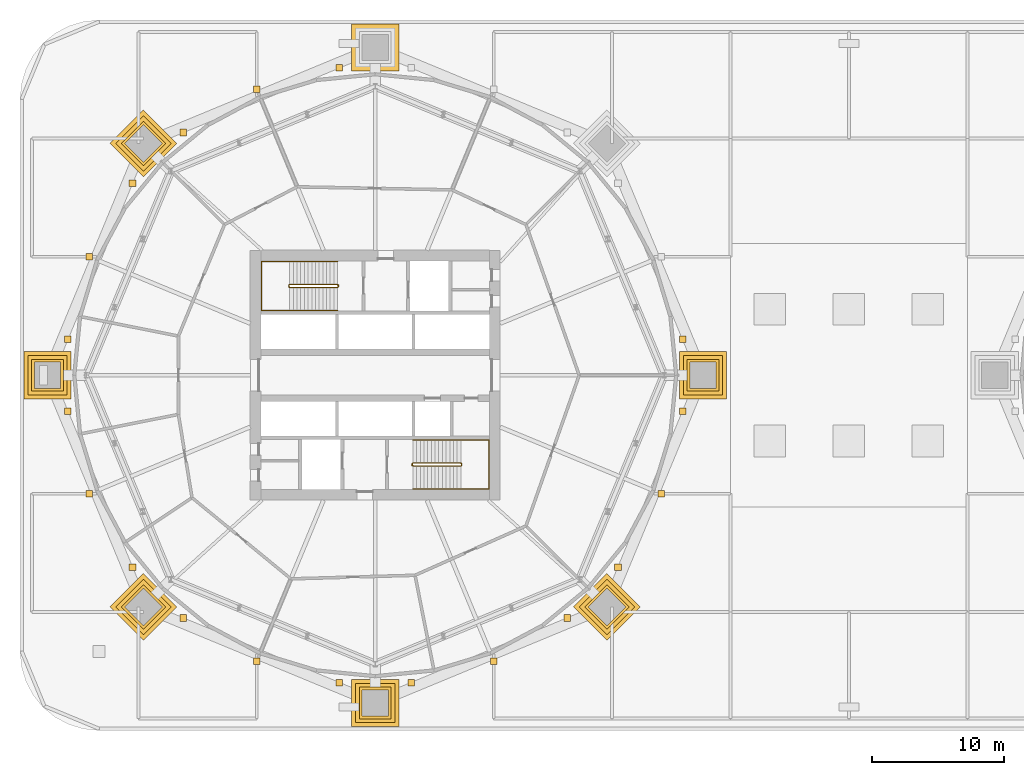
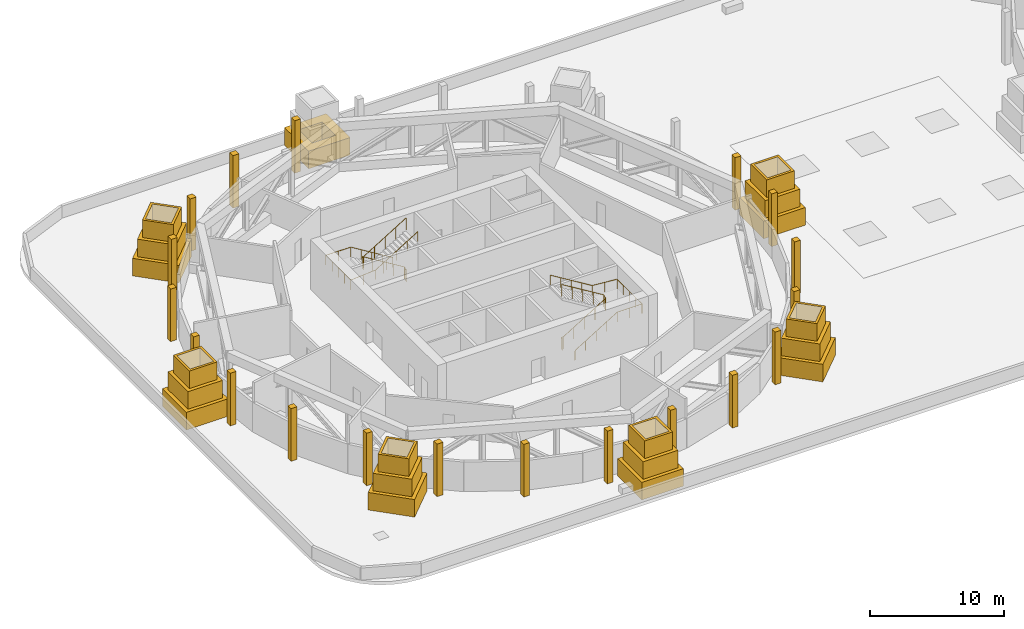
# One storey, part 18 of 21: 38 coverings, 4 railings.
"""IFC4 building model written with IfcOpenShell, lengths in metres."""

from ifc_helpers import new_model, si_unit, direction, frame, origin, origin_2d, place, context, subcontext, project, spatial, polyline, rectangle, circle, outline, extrude, material, layer, layer_set, material_profile, profile_set, type_object, element, save


model = new_model("IFC4")

# Units and contexts
model_context = context("Model", 3, precision=1e-05, world=origin(), true_north=direction((0.0, 1.0)))
body_context = subcontext(model_context, "Body", "Model", "MODEL_VIEW")
ifc_project = project(units=[si_unit("LENGTHUNIT", "METRE"), si_unit("AREAUNIT", "SQUARE_METRE"), si_unit("VOLUMEUNIT", "CUBIC_METRE"), si_unit("PLANEANGLEUNIT", "RADIAN"), si_unit("MASSUNIT", "GRAM", prefix="KILO")], contexts=[model_context])

# Site, building, storey
site_placement = place(None, origin())
site = spatial("IfcSite", under=ifc_project, at=site_placement, CompositionType="ELEMENT")
building_placement = place(site_placement, origin())
building = spatial("IfcBuilding", under=site, at=building_placement, Name="Ogive Gate Towers", CompositionType="ELEMENT")
storey_placement = place(building_placement, frame((0.0, 0.0, 27.60009765625)))
storey = spatial("IfcBuildingStorey", under=building, at=storey_placement, Name="L05", CompositionType="ELEMENT", Elevation=27.60009765625)

# Coverings
ifc_material_1 = material(Name="Cast stone", Category="masonry")
ifc_layer_1 = layer(ifc_material_1, 0.199951171875)
ifc_layer_set_1 = layer_set([ifc_layer_1], Name="Plinth casing 2400")
covering_type_1 = type_object("IfcCoveringType", Name="Plinth casing 2400", PredefinedType="CLADDING", material=ifc_layer_set_1)
covering_1_placement = place(storey_placement, frame((0.0, 0.0, 3.199951171875)))
element("IfcCovering", 1, at=covering_1_placement, inside=storey, type_object=covering_type_1, Name="Pier plinth casing", PredefinedType="CLADDING", context=body_context, shape_type="SweptSolid", body=[
    extrude(outline(polyline([(-12.2900390625, -1.199951171875), (-9.889892578125, -1.199951171875), (-9.889892578125, 1.199951171875), (-12.2900390625, 1.199951171875), (-12.2900390625, -1.199951171875)]), holes=[polyline([(-12.090087890625, -1.0), (-12.090087890625, 1.0), (-10.090087890625, 1.0), (-10.090087890625, -1.0), (-12.090087890625, -1.0)])]), origin(), (0.0, 0.0, 1.0), 1.599853515625),
])
covering_2_placement = place(storey_placement, frame((0.0, 0.0, 3.199951171875)))
element("IfcCovering", 2, at=covering_2_placement, inside=storey, type_object=covering_type_1, Name="Pier plinth casing", PredefinedType="CLADDING", context=body_context, shape_type="SweptSolid", body=[
    extrude(outline(polyline([(-51.9169921875, 17.614013671875), (-53.614013671875, 19.31103515625), (-55.31103515625, 17.614013671875), (-53.614013671875, 15.9169921875), (-51.9169921875, 17.614013671875)]), holes=[polyline([(-52.19970703125, 17.614013671875), (-53.614013671875, 16.19970703125), (-55.0283203125, 17.614013671875), (-53.614013671875, 19.0283203125), (-52.19970703125, 17.614013671875)])]), origin(), (0.0, 0.0, 1.0), 1.599853515625),
])
covering_3_placement = place(storey_placement, frame((0.0, 0.0, 3.199951171875)))
element("IfcCovering", 3, at=covering_3_placement, inside=storey, type_object=covering_type_1, Name="Pier plinth casing", PredefinedType="CLADDING", context=body_context, shape_type="SweptSolid", body=[
    extrude(outline(polyline([(-59.7099609375, 1.199951171875), (-62.110107421875, 1.199951171875), (-62.110107421875, -1.199951171875), (-59.7099609375, -1.199951171875), (-59.7099609375, 1.199951171875)]), holes=[polyline([(-59.909912109375, 1.0), (-59.909912109375, -1.0), (-61.909912109375, -1.0), (-61.909912109375, 1.0), (-59.909912109375, 1.0)])]), origin(), (0.0, 0.0, 1.0), 1.599853515625),
])
covering_4_placement = place(storey_placement, frame((0.0, 0.0, 3.199951171875)))
element("IfcCovering", 4, at=covering_4_placement, inside=storey, type_object=covering_type_1, Name="Pier plinth casing", PredefinedType="CLADDING", context=body_context, shape_type="SweptSolid", body=[
    extrude(outline(polyline([(-53.614013671875, -15.9169921875), (-55.31103515625, -17.614013671875), (-53.614013671875, -19.31103515625), (-51.9169921875, -17.614013671875), (-53.614013671875, -15.9169921875)]), holes=[polyline([(-53.614013671875, -16.19970703125), (-52.19970703125, -17.614013671875), (-53.614013671875, -19.0283203125), (-55.0283203125, -17.614013671875), (-53.614013671875, -16.19970703125)])]), origin(), (0.0, 0.0, 1.0), 1.599853515625),
])
covering_5_placement = place(storey_placement, frame((0.0, 0.0, 3.199951171875)))
element("IfcCovering", 5, at=covering_5_placement, inside=storey, type_object=covering_type_1, Name="Pier plinth casing", PredefinedType="CLADDING", context=body_context, shape_type="SweptSolid", body=[
    extrude(outline(polyline([(-37.199951171875, -23.7099609375), (-37.199951171875, -26.110107421875), (-34.800048828125, -26.110107421875), (-34.800048828125, -23.7099609375), (-37.199951171875, -23.7099609375)]), holes=[polyline([(-37.0, -23.909912109375), (-35.0, -23.909912109375), (-35.0, -25.909912109375), (-37.0, -25.909912109375), (-37.0, -23.909912109375)])]), origin(), (0.0, 0.0, 1.0), 1.599853515625),
])
covering_6_placement = place(storey_placement, frame((0.0, 0.0, 3.199951171875)))
element("IfcCovering", 6, at=covering_6_placement, inside=storey, type_object=covering_type_1, Name="Pier plinth casing", PredefinedType="CLADDING", context=body_context, shape_type="SweptSolid", body=[
    extrude(outline(polyline([(-20.0830078125, -17.614013671875), (-18.385986328125, -19.31103515625), (-16.68896484375, -17.614013671875), (-18.385986328125, -15.9169921875), (-20.0830078125, -17.614013671875)]), holes=[polyline([(-19.80029296875, -17.614013671875), (-18.385986328125, -16.19970703125), (-16.9716796875, -17.614013671875), (-18.385986328125, -19.0283203125), (-19.80029296875, -17.614013671875)])]), origin(), (0.0, 0.0, 1.0), 1.599853515625),
])
ifc_layer_2 = layer(ifc_material_1, 0.5)
ifc_layer_set_2 = layer_set([ifc_layer_2], Name="Plinth casing 3000")
covering_type_2 = type_object("IfcCoveringType", Name="Plinth casing 3000", PredefinedType="CLADDING", material=ifc_layer_set_2)
covering_7_placement = place(storey_placement, frame((0.0, 0.0, 1.599853515625)))
element("IfcCovering", 7, at=covering_7_placement, inside=storey, type_object=covering_type_2, Name="Pier plinth casing", PredefinedType="CLADDING", context=body_context, shape_type="SweptSolid", body=[
    extrude(outline(polyline([(-12.590087890625, -1.5), (-9.590087890625, -1.5), (-9.590087890625, 1.5), (-12.590087890625, 1.5), (-12.590087890625, -1.5)]), holes=[polyline([(-12.090087890625, -1.0), (-12.090087890625, 1.0), (-10.090087890625, 1.0), (-10.090087890625, -1.0), (-12.090087890625, -1.0)])]), origin(), (0.0, 0.0, 1.0), 1.60009765625),
])
covering_8_placement = place(storey_placement, frame((0.0, 0.0, 1.599853515625)))
element("IfcCovering", 8, at=covering_8_placement, inside=storey, type_object=covering_type_2, Name="Pier plinth casing", PredefinedType="CLADDING", context=body_context, shape_type="SweptSolid", body=[
    extrude(outline(polyline([(-51.49267578125, 17.614013671875), (-53.614013671875, 19.7353515625), (-55.7353515625, 17.614013671875), (-53.614013671875, 15.49267578125), (-51.49267578125, 17.614013671875)]), holes=[polyline([(-52.19970703125, 17.614013671875), (-53.614013671875, 16.19970703125), (-55.0283203125, 17.614013671875), (-53.614013671875, 19.0283203125), (-52.19970703125, 17.614013671875)])]), origin(), (0.0, 0.0, 1.0), 1.60009765625),
])
covering_9_placement = place(storey_placement, frame((0.0, 0.0, 1.599853515625)))
element("IfcCovering", 9, at=covering_9_placement, inside=storey, type_object=covering_type_2, Name="Pier plinth casing", PredefinedType="CLADDING", context=body_context, shape_type="SweptSolid", body=[
    extrude(outline(polyline([(-59.409912109375, 1.5), (-62.409912109375, 1.5), (-62.409912109375, -1.5), (-59.409912109375, -1.5), (-59.409912109375, 1.5)]), holes=[polyline([(-59.909912109375, 1.0), (-59.909912109375, -1.0), (-61.909912109375, -1.0), (-61.909912109375, 1.0), (-59.909912109375, 1.0)])]), origin(), (0.0, 0.0, 1.0), 1.60009765625),
])
covering_10_placement = place(storey_placement, frame((0.0, 0.0, 1.599853515625)))
element("IfcCovering", 10, at=covering_10_placement, inside=storey, type_object=covering_type_2, Name="Pier plinth casing", PredefinedType="CLADDING", context=body_context, shape_type="SweptSolid", body=[
    extrude(outline(polyline([(-53.614013671875, -15.49267578125), (-55.7353515625, -17.614013671875), (-53.614013671875, -19.7353515625), (-51.49267578125, -17.614013671875), (-53.614013671875, -15.49267578125)]), holes=[polyline([(-53.614013671875, -16.19970703125), (-52.19970703125, -17.614013671875), (-53.614013671875, -19.0283203125), (-55.0283203125, -17.614013671875), (-53.614013671875, -16.19970703125)])]), origin(), (0.0, 0.0, 1.0), 1.60009765625),
])
covering_11_placement = place(storey_placement, frame((0.0, 0.0, 1.599853515625)))
element("IfcCovering", 11, at=covering_11_placement, inside=storey, type_object=covering_type_2, Name="Pier plinth casing", PredefinedType="CLADDING", context=body_context, shape_type="SweptSolid", body=[
    extrude(outline(polyline([(-37.5, -23.409912109375), (-37.5, -26.409912109375), (-34.5, -26.409912109375), (-34.5, -23.409912109375), (-37.5, -23.409912109375)]), holes=[polyline([(-37.0, -23.909912109375), (-35.0, -23.909912109375), (-35.0, -25.909912109375), (-37.0, -25.909912109375), (-37.0, -23.909912109375)])]), origin(), (0.0, 0.0, 1.0), 1.60009765625),
])
covering_12_placement = place(storey_placement, frame((0.0, 0.0, 1.599853515625)))
element("IfcCovering", 12, at=covering_12_placement, inside=storey, type_object=covering_type_2, Name="Pier plinth casing", PredefinedType="CLADDING", context=body_context, shape_type="SweptSolid", body=[
    extrude(outline(polyline([(-20.50732421875, -17.614013671875), (-18.385986328125, -19.7353515625), (-16.2646484375, -17.614013671875), (-18.385986328125, -15.49267578125), (-20.50732421875, -17.614013671875)]), holes=[polyline([(-19.80029296875, -17.614013671875), (-18.385986328125, -16.19970703125), (-16.9716796875, -17.614013671875), (-18.385986328125, -19.0283203125), (-19.80029296875, -17.614013671875)])]), origin(), (0.0, 0.0, 1.0), 1.60009765625),
])
ifc_layer_3 = layer(ifc_material_1, 0.800048828125)
ifc_layer_set_3 = layer_set([ifc_layer_3], Name="Plinth casing 3600")
covering_type_3 = type_object("IfcCoveringType", Name="Plinth casing 3600", PredefinedType="CLADDING", material=ifc_layer_set_3)
covering_13_placement = place(storey_placement, origin())
element("IfcCovering", 13, at=covering_13_placement, inside=storey, type_object=covering_type_3, Name="Pier plinth casing", PredefinedType="CLADDING", context=body_context, shape_type="SweptSolid", body=[
    extrude(outline(polyline([(-12.889892578125, -1.800048828125), (-9.2900390625, -1.800048828125), (-9.2900390625, 1.800048828125), (-12.889892578125, 1.800048828125), (-12.889892578125, -1.800048828125)]), holes=[polyline([(-12.090087890625, -1.0), (-12.090087890625, 1.0), (-10.090087890625, 1.0), (-10.090087890625, -1.0), (-12.090087890625, -1.0)])]), origin(), (0.0, 0.0, 1.0), 1.599853515625),
])
covering_14_placement = place(storey_placement, origin())
element("IfcCovering", 14, at=covering_14_placement, inside=storey, type_object=covering_type_3, Name="Pier plinth casing", PredefinedType="CLADDING", context=body_context, shape_type="SweptSolid", body=[
    extrude(outline(polyline([(-34.199951171875, 23.110107421875), (-34.199951171875, 26.7099609375), (-37.800048828125, 26.7099609375), (-37.800048828125, 23.110107421875), (-34.199951171875, 23.110107421875)]), holes=[polyline([(-35.0, 23.909912109375), (-37.0, 23.909912109375), (-37.0, 25.909912109375), (-35.0, 25.909912109375), (-35.0, 23.909912109375)])]), origin(), (0.0, 0.0, 1.0), 1.599853515625),
])
covering_15_placement = place(storey_placement, origin())
element("IfcCovering", 15, at=covering_15_placement, inside=storey, type_object=covering_type_3, Name="Pier plinth casing", PredefinedType="CLADDING", context=body_context, shape_type="SweptSolid", body=[
    extrude(outline(polyline([(-51.068359375, 17.614013671875), (-53.614013671875, 20.15966796875), (-56.15966796875, 17.614013671875), (-53.614013671875, 15.068359375), (-51.068359375, 17.614013671875)]), holes=[polyline([(-52.19970703125, 17.614013671875), (-53.614013671875, 16.19970703125), (-55.0283203125, 17.614013671875), (-53.614013671875, 19.0283203125), (-52.19970703125, 17.614013671875)])]), origin(), (0.0, 0.0, 1.0), 1.599853515625),
])
covering_16_placement = place(storey_placement, origin())
element("IfcCovering", 16, at=covering_16_placement, inside=storey, type_object=covering_type_3, Name="Pier plinth casing", PredefinedType="CLADDING", context=body_context, shape_type="SweptSolid", body=[
    extrude(outline(polyline([(-59.110107421875, 1.800048828125), (-62.7099609375, 1.800048828125), (-62.7099609375, -1.800048828125), (-59.110107421875, -1.800048828125), (-59.110107421875, 1.800048828125)]), holes=[polyline([(-59.909912109375, 1.0), (-59.909912109375, -1.0), (-61.909912109375, -1.0), (-61.909912109375, 1.0), (-59.909912109375, 1.0)])]), origin(), (0.0, 0.0, 1.0), 1.599853515625),
])
covering_17_placement = place(storey_placement, origin())
element("IfcCovering", 17, at=covering_17_placement, inside=storey, type_object=covering_type_3, Name="Pier plinth casing", PredefinedType="CLADDING", context=body_context, shape_type="SweptSolid", body=[
    extrude(outline(polyline([(-53.614013671875, -15.068359375), (-56.15966796875, -17.614013671875), (-53.614013671875, -20.15966796875), (-51.068359375, -17.614013671875), (-53.614013671875, -15.068359375)]), holes=[polyline([(-53.614013671875, -16.19970703125), (-52.19970703125, -17.614013671875), (-53.614013671875, -19.0283203125), (-55.0283203125, -17.614013671875), (-53.614013671875, -16.19970703125)])]), origin(), (0.0, 0.0, 1.0), 1.599853515625),
])
covering_18_placement = place(storey_placement, origin())
element("IfcCovering", 18, at=covering_18_placement, inside=storey, type_object=covering_type_3, Name="Pier plinth casing", PredefinedType="CLADDING", context=body_context, shape_type="SweptSolid", body=[
    extrude(outline(polyline([(-37.800048828125, -23.110107421875), (-37.800048828125, -26.7099609375), (-34.199951171875, -26.7099609375), (-34.199951171875, -23.110107421875), (-37.800048828125, -23.110107421875)]), holes=[polyline([(-37.0, -23.909912109375), (-35.0, -23.909912109375), (-35.0, -25.909912109375), (-37.0, -25.909912109375), (-37.0, -23.909912109375)])]), origin(), (0.0, 0.0, 1.0), 1.599853515625),
])
covering_19_placement = place(storey_placement, origin())
element("IfcCovering", 19, at=covering_19_placement, inside=storey, type_object=covering_type_3, Name="Pier plinth casing", PredefinedType="CLADDING", context=body_context, shape_type="SweptSolid", body=[
    extrude(outline(polyline([(-20.931640625, -17.614013671875), (-18.385986328125, -20.15966796875), (-15.84033203125, -17.614013671875), (-18.385986328125, -15.068359375), (-20.931640625, -17.614013671875)]), holes=[polyline([(-19.80029296875, -17.614013671875), (-18.385986328125, -16.19970703125), (-16.9716796875, -17.614013671875), (-18.385986328125, -19.0283203125), (-19.80029296875, -17.614013671875)])]), origin(), (0.0, 0.0, 1.0), 1.599853515625),
])
ifc_material_profile = material_profile(ifc_material_1, rectangle(XDim=0.5, YDim=0.5, at=origin_2d()), Name="500 x 500 cast stone")
ifc_profile_set = profile_set([ifc_material_profile], Name="Cast stone")
covering_type_4 = type_object("IfcCoveringType", Name="Portal rib 500 x 500", PredefinedType="CLADDING", material=ifc_profile_set)
for number, where, z_axis, x_axis, name in (
    (20, (-12.637939453125, 2.73046875, 0.0), (0.0, 0.0, 1.0), (1.0, 0.0, 0.0), "Portal post"),
    (21, (-50.588623046875, 18.4501953125, 0.0), (0.0, 0.0, 1.0), (1.0, 0.0, 0.0), "Portal post"),
    (22, (-38.73046875, 23.362060546875, 0.0), (0.0, 0.0, 1.0), (1.0, 0.0, 0.0), "Portal post"),
    (23, (-45.001220703125, 21.730712890625, 0.0), (0.0, 0.0, 1.0), (1.0, 0.0, 0.0), "Portal mullion"),
    (24, (-59.362060546875, 2.73046875, 0.0), (0.0, 0.0, 1.0), (1.0, 0.0, 0.0), "Portal post"),
    (25, (-54.4501953125, 14.588623046875, 0.0), (0.0, 0.0, 1.0), (1.0, 0.0, 0.0), "Portal post"),
    (26, (-57.730712890625, 9.001220703125, 0.0), (0.0, 0.0, 1.0), (1.0, 0.0, 0.0), "Portal mullion"),
    (27, (-54.4501953125, -14.588623046875, 0.0), (0.0, 0.0, 1.0), (1.0, 0.0, 0.0), "Portal post"),
    (28, (-59.362060546875, -2.73046875, 0.0), (0.0, 0.0, 1.0), (1.0, 0.0, 0.0), "Portal post"),
    (29, (-57.730712890625, -9.001220703125, 0.0), (0.0, 0.0, 1.0), (1.0, 0.0, 0.0), "Portal mullion"),
    (30, (-38.73046875, -23.362060546875, 0.0), (0.0, 0.0, 1.0), (1.0, 0.0, 0.0), "Portal post"),
    (31, (-50.588623046875, -18.4501953125, 0.0), (0.0, 0.0, 1.0), (1.0, 0.0, 0.0), "Portal post"),
    (32, (-45.001220703125, -21.730712890625, 0.0), (0.0, 0.0, 1.0), (1.0, 0.0, 0.0), "Portal mullion"),
    (33, (-21.411376953125, -18.4501953125, 0.0), (0.0, 0.0, 1.0), (1.0, 0.0, 0.0), "Portal post"),
    (34, (-33.26953125, -23.362060546875, 0.0), (0.0, 0.0, 1.0), (1.0, 0.0, 0.0), "Portal post"),
    (35, (-26.998779296875, -21.730712890625, 0.0), (0.0, 0.0, 1.0), (1.0, 0.0, 0.0), "Portal mullion"),
    (36, (-12.637939453125, -2.73046875, 0.0), (0.0, 0.0, 1.0), (1.0, 0.0, 0.0), "Portal post"),
    (37, (-17.5498046875, -14.588623046875, 0.0), (0.0, 0.0, 1.0), (1.0, 0.0, 0.0), "Portal post"),
    (38, (-14.269287109375, -9.001220703125, 0.0), (0.0, 0.0, 1.0), (1.0, 0.0, 0.0), "Portal mullion"),
):
    element("IfcCovering", number, at=place(storey_placement, frame(where, z_axis=z_axis, x_axis=x_axis)), inside=storey, type_object=covering_type_4, Name=name, PredefinedType="CLADDING", context=body_context, shape_type="SweptSolid", body=[
        extrude(rectangle(XDim=0.5, YDim=0.5, at=origin_2d()), origin(), (0.0, 0.0, 1.0), 4.7998046875),
    ])

# Railings
ifc_material_2 = material(Name="Stainless steel", Category="steel")
railing_type_1 = type_object("IfcRailingType", Name="Stair guard 1100", PredefinedType="GUARDRAIL", material=ifc_material_2)
railing_1_placement = place(storey_placement, frame((-38.81494140625, 6.860107421875, 0.0)))
element("IfcRailing", 39, at=railing_1_placement, inside=storey, type_object=railing_type_1, Name="L05 ST1 stair guard 1", PredefinedType="GUARDRAIL", context=body_context, shape_type="SweptSolid", body=[
    extrude(circle(Radius=0.02392578125, at=origin_2d()), frame((0.0, 0.0, 1.076171875), z_axis=(0.0, -1.0, 0.0), x_axis=(1.0, 0.0, 0.0)), (0.0, 0.0, 1.0), 0.14501953125),
    extrude(circle(Radius=0.02392578125, at=origin_2d()), frame((0.0, -0.14501953125, 1.076171875), z_axis=(-0.189390444499, 0.737236949804, 0.648546790429), x_axis=(-0.968551454522, -0.24881334358, 0.0)), (0.0, 0.0, 1.0), 0.26416015625),
    extrude(circle(Radius=0.02392578125, at=origin_2d()), frame((-0.050048828125, 0.0498046875, 1.24755859375), z_axis=(-0.852850264322, 0.0, 0.5221555579), x_axis=(0.0, -1.0, 0.0)), (0.0, 0.0, 1.0), 4.267822265625),
    extrude(circle(Radius=0.02392578125, at=origin_2d()), frame((-3.68994140625, 0.0498046875, 3.47607421875), z_axis=(-0.708833529934, -0.705375805398, 0.0), x_axis=(0.705375805398, -0.708833529934, 0.0)), (0.0, 0.0, 1.0), 0.070556640625),
    extrude(circle(Radius=0.02392578125, at=origin_2d()), frame((-3.739990234375, 0.0, 3.47607421875), z_axis=(0.0, -1.0, 0.0), x_axis=(1.0, 0.0, 0.0)), (0.0, 0.0, 1.0), 0.14501953125),
    extrude(circle(Radius=0.02392578125, at=origin_2d()), frame((-3.739990234375, -0.14501953125, 3.47607421875), z_axis=(0.269911200495, -0.269911200495, 0.924281281696), x_axis=(0.707106781187, 0.707106781187, 0.0)), (0.0, 0.0, 1.0), 0.185546875),
    extrude(circle(Radius=0.02392578125, at=origin_2d()), frame((-3.68994140625, -0.195068359375, 3.6474609375), z_axis=(0.852850264322, 0.0, 0.5221555579), x_axis=(0.0, 1.0, 0.0)), (0.0, 0.0, 1.0), 4.267822265625),
    extrude(circle(Radius=0.02099609375, at=origin_2d()), origin(), (0.0, 0.0, 1.0), 1.052001953125),
    extrude(circle(Radius=0.02099609375, at=origin_2d()), frame((0.0, -0.14501953125, 0.0)), (0.0, 0.0, 1.0), 1.052001953125),
    extrude(circle(Radius=0.02099609375, at=origin_2d()), frame((-0.050048828125, 0.0498046875, 0.17138671875)), (0.0, 0.0, 1.0), 1.052001953125),
    extrude(circle(Radius=0.02099609375, at=origin_2d()), frame((-0.9599609375, 0.0498046875, 0.728515625)), (0.0, 0.0, 1.0), 1.052001953125),
    extrude(circle(Radius=0.02099609375, at=origin_2d()), frame((-1.8701171875, 0.0498046875, 1.28564453125)), (0.0, 0.0, 1.0), 1.052001953125),
    extrude(circle(Radius=0.02099609375, at=origin_2d()), frame((-2.780029296875, 0.0498046875, 1.8427734375)), (0.0, 0.0, 1.0), 1.052001953125),
    extrude(circle(Radius=0.02099609375, at=origin_2d()), frame((-3.68994140625, 0.0498046875, 2.39990234375)), (0.0, 0.0, 1.0), 1.052001953125),
    extrude(circle(Radius=0.02099609375, at=origin_2d()), frame((-3.739990234375, 0.0, 2.39990234375)), (0.0, 0.0, 1.0), 1.052001953125),
    extrude(circle(Radius=0.02099609375, at=origin_2d()), frame((-3.739990234375, -0.14501953125, 2.39990234375)), (0.0, 0.0, 1.0), 1.052001953125),
    extrude(circle(Radius=0.02099609375, at=origin_2d()), frame((-3.68994140625, -0.195068359375, 2.5712890625)), (0.0, 0.0, 1.0), 1.052001953125),
    extrude(circle(Radius=0.02099609375, at=origin_2d()), frame((-2.780029296875, -0.195068359375, 3.12841796875)), (0.0, 0.0, 1.0), 1.052001953125),
    extrude(circle(Radius=0.02099609375, at=origin_2d()), frame((-1.8701171875, -0.195068359375, 3.685546875)), (0.0, 0.0, 1.0), 1.052001953125),
    extrude(circle(Radius=0.02099609375, at=origin_2d()), frame((-0.9599609375, -0.195068359375, 4.24267578125)), (0.0, 0.0, 1.0), 1.052001953125),
    extrude(circle(Radius=0.02099609375, at=origin_2d()), frame((-0.050048828125, -0.195068359375, 4.7998046875)), (0.0, 0.0, 1.0), 1.052001953125),
])
railing_2_placement = place(storey_placement, frame((-33.18505859375, -6.860107421875, 0.0)))
element("IfcRailing", 40, at=railing_2_placement, inside=storey, type_object=railing_type_1, Name="L05 ST2 stair guard 1", PredefinedType="GUARDRAIL", context=body_context, shape_type="SweptSolid", body=[
    extrude(circle(Radius=0.02392578125, at=origin_2d()), frame((0.0, 0.0, 1.076171875), z_axis=(0.0, 1.0, 0.0), x_axis=(-1.0, 0.0, 0.0)), (0.0, 0.0, 1.0), 0.14501953125),
    extrude(circle(Radius=0.02392578125, at=origin_2d()), frame((0.0, 0.14501953125, 1.076171875), z_axis=(0.189390444499, -0.737236949804, 0.648546790429), x_axis=(0.968551454522, 0.24881334358, 0.0)), (0.0, 0.0, 1.0), 0.26416015625),
    extrude(circle(Radius=0.02392578125, at=origin_2d()), frame((0.050048828125, -0.0498046875, 1.24755859375), z_axis=(0.852850264322, 0.0, 0.5221555579), x_axis=(0.0, 1.0, 0.0)), (0.0, 0.0, 1.0), 4.267822265625),
    extrude(circle(Radius=0.02392578125, at=origin_2d()), frame((3.68994140625, -0.0498046875, 3.47607421875), z_axis=(0.708833529934, 0.705375805398, 0.0), x_axis=(-0.705375805398, 0.708833529934, 0.0)), (0.0, 0.0, 1.0), 0.070556640625),
    extrude(circle(Radius=0.02392578125, at=origin_2d()), frame((3.739990234375, 0.0, 3.47607421875), z_axis=(0.0, 1.0, 0.0), x_axis=(-1.0, 0.0, 0.0)), (0.0, 0.0, 1.0), 0.14501953125),
    extrude(circle(Radius=0.02392578125, at=origin_2d()), frame((3.739990234375, 0.14501953125, 3.47607421875), z_axis=(-0.269911200495, 0.269911200495, 0.924281281696), x_axis=(-0.707106781187, -0.707106781187, 0.0)), (0.0, 0.0, 1.0), 0.185546875),
    extrude(circle(Radius=0.02392578125, at=origin_2d()), frame((3.68994140625, 0.195068359375, 3.6474609375), z_axis=(-0.852850264322, 0.0, 0.5221555579), x_axis=(0.0, -1.0, 0.0)), (0.0, 0.0, 1.0), 4.267822265625),
    extrude(circle(Radius=0.02099609375, at=origin_2d()), origin(), (0.0, 0.0, 1.0), 1.052001953125),
    extrude(circle(Radius=0.02099609375, at=origin_2d()), frame((0.0, 0.14501953125, 0.0)), (0.0, 0.0, 1.0), 1.052001953125),
    extrude(circle(Radius=0.02099609375, at=origin_2d()), frame((0.050048828125, -0.0498046875, 0.17138671875)), (0.0, 0.0, 1.0), 1.052001953125),
    extrude(circle(Radius=0.02099609375, at=origin_2d()), frame((0.9599609375, -0.0498046875, 0.728515625)), (0.0, 0.0, 1.0), 1.052001953125),
    extrude(circle(Radius=0.02099609375, at=origin_2d()), frame((1.8701171875, -0.0498046875, 1.28564453125)), (0.0, 0.0, 1.0), 1.052001953125),
    extrude(circle(Radius=0.02099609375, at=origin_2d()), frame((2.780029296875, -0.0498046875, 1.8427734375)), (0.0, 0.0, 1.0), 1.052001953125),
    extrude(circle(Radius=0.02099609375, at=origin_2d()), frame((3.68994140625, -0.0498046875, 2.39990234375)), (0.0, 0.0, 1.0), 1.052001953125),
    extrude(circle(Radius=0.02099609375, at=origin_2d()), frame((3.739990234375, 0.0, 2.39990234375)), (0.0, 0.0, 1.0), 1.052001953125),
    extrude(circle(Radius=0.02099609375, at=origin_2d()), frame((3.739990234375, 0.14501953125, 2.39990234375)), (0.0, 0.0, 1.0), 1.052001953125),
    extrude(circle(Radius=0.02099609375, at=origin_2d()), frame((3.68994140625, 0.195068359375, 2.5712890625)), (0.0, 0.0, 1.0), 1.052001953125),
    extrude(circle(Radius=0.02099609375, at=origin_2d()), frame((2.780029296875, 0.195068359375, 3.12841796875)), (0.0, 0.0, 1.0), 1.052001953125),
    extrude(circle(Radius=0.02099609375, at=origin_2d()), frame((1.8701171875, 0.195068359375, 3.685546875)), (0.0, 0.0, 1.0), 1.052001953125),
    extrude(circle(Radius=0.02099609375, at=origin_2d()), frame((0.9599609375, 0.195068359375, 4.24267578125)), (0.0, 0.0, 1.0), 1.052001953125),
    extrude(circle(Radius=0.02099609375, at=origin_2d()), frame((0.050048828125, 0.195068359375, 4.7998046875)), (0.0, 0.0, 1.0), 1.052001953125),
])
railing_type_2 = type_object("IfcRailingType", Name="Stair handrail 900", PredefinedType="HANDRAIL", material=ifc_material_2)
railing_3_placement = place(storey_placement, frame((-38.864990234375, 8.64990234375, 0.17138671875)))
element("IfcRailing", 41, at=railing_3_placement, inside=storey, type_object=railing_type_2, Name="L05 ST1 stair handrail 1", PredefinedType="HANDRAIL", context=body_context, shape_type="SweptSolid", body=[
    extrude(circle(Radius=0.02392578125, at=origin_2d()), frame((0.0, 0.0, 0.8759765625), z_axis=(-0.852850264322, 0.0, 0.5221555579), x_axis=(0.0, -1.0, 0.0)), (0.0, 0.0, 1.0), 4.267822265625),
    extrude(circle(Radius=0.02392578125, at=origin_2d()), frame((-3.639892578125, 0.0, 3.1044921875), z_axis=(-1.0, 0.0, 0.0), x_axis=(0.0, -1.0, 0.0)), (0.0, 0.0, 1.0), 2.14501953125),
    extrude(circle(Radius=0.02392578125, at=origin_2d()), frame((-5.784912109375, 0.0, 3.1044921875), z_axis=(0.0, -1.0, 0.0), x_axis=(1.0, 0.0, 0.0)), (0.0, 0.0, 1.0), 3.724853515625),
    extrude(circle(Radius=0.02392578125, at=origin_2d()), frame((-5.784912109375, -3.724853515625, 3.1044921875), z_axis=(0.996823210099, 0.0, 0.079646015649), x_axis=(0.0, 1.0, 0.0)), (0.0, 0.0, 1.0), 2.15185546875),
    extrude(circle(Radius=0.02392578125, at=origin_2d()), frame((-3.639892578125, -3.724853515625, 3.27587890625), z_axis=(0.852850264322, 0.0, 0.5221555579), x_axis=(0.0, 1.0, 0.0)), (0.0, 0.0, 1.0), 4.267822265625),
    extrude(circle(Radius=0.02099609375, at=origin_2d()), origin(), (0.0, 0.0, 1.0), 0.851806640625),
    extrude(circle(Radius=0.02099609375, at=origin_2d()), frame((-0.909912109375, 0.0, 0.55712890625)), (0.0, 0.0, 1.0), 0.851806640625),
    extrude(circle(Radius=0.02099609375, at=origin_2d()), frame((-1.81982421875, 0.0, 1.1142578125)), (0.0, 0.0, 1.0), 0.851806640625),
    extrude(circle(Radius=0.02099609375, at=origin_2d()), frame((-2.72998046875, 0.0, 1.67138671875)), (0.0, 0.0, 1.0), 0.851806640625),
    extrude(circle(Radius=0.02099609375, at=origin_2d()), frame((-3.639892578125, 0.0, 2.228515625)), (0.0, 0.0, 1.0), 0.851806640625),
    extrude(circle(Radius=0.02099609375, at=origin_2d()), frame((-4.71240234375, 0.0, 2.228515625)), (0.0, 0.0, 1.0), 0.851806640625),
    extrude(circle(Radius=0.02099609375, at=origin_2d()), frame((-5.784912109375, 0.0, 2.228515625)), (0.0, 0.0, 1.0), 0.851806640625),
    extrude(circle(Radius=0.02099609375, at=origin_2d()), frame((-5.784912109375, -0.93115234375, 2.228515625)), (0.0, 0.0, 1.0), 0.851806640625),
    extrude(circle(Radius=0.02099609375, at=origin_2d()), frame((-5.784912109375, -1.8623046875, 2.228515625)), (0.0, 0.0, 1.0), 0.851806640625),
    extrude(circle(Radius=0.02099609375, at=origin_2d()), frame((-5.784912109375, -2.793701171875, 2.228515625)), (0.0, 0.0, 1.0), 0.851806640625),
    extrude(circle(Radius=0.02099609375, at=origin_2d()), frame((-5.784912109375, -3.724853515625, 2.228515625)), (0.0, 0.0, 1.0), 0.851806640625),
    extrude(circle(Radius=0.02099609375, at=origin_2d()), frame((-4.71240234375, -3.724853515625, 2.314208984375)), (0.0, 0.0, 1.0), 0.851806640625),
    extrude(circle(Radius=0.02099609375, at=origin_2d()), frame((-3.639892578125, -3.724853515625, 2.39990234375)), (0.0, 0.0, 1.0), 0.851806640625),
    extrude(circle(Radius=0.02099609375, at=origin_2d()), frame((-2.72998046875, -3.724853515625, 2.95703125)), (0.0, 0.0, 1.0), 0.851806640625),
    extrude(circle(Radius=0.02099609375, at=origin_2d()), frame((-1.81982421875, -3.724853515625, 3.51416015625)), (0.0, 0.0, 1.0), 0.851806640625),
    extrude(circle(Radius=0.02099609375, at=origin_2d()), frame((-0.909912109375, -3.724853515625, 4.0712890625)), (0.0, 0.0, 1.0), 0.851806640625),
    extrude(circle(Radius=0.02099609375, at=origin_2d()), frame((0.0, -3.724853515625, 4.62841796875)), (0.0, 0.0, 1.0), 0.851806640625),
])
railing_4_placement = place(storey_placement, frame((-33.135009765625, -8.64990234375, 0.17138671875)))
element("IfcRailing", 42, at=railing_4_placement, inside=storey, type_object=railing_type_2, Name="L05 ST2 stair handrail 1", PredefinedType="HANDRAIL", context=body_context, shape_type="SweptSolid", body=[
    extrude(circle(Radius=0.02392578125, at=origin_2d()), frame((0.0, 0.0, 0.8759765625), z_axis=(0.852850264322, 0.0, 0.5221555579), x_axis=(0.0, 1.0, 0.0)), (0.0, 0.0, 1.0), 4.267822265625),
    extrude(circle(Radius=0.02392578125, at=origin_2d()), frame((3.639892578125, 0.0, 3.1044921875), z_axis=(1.0, 0.0, 0.0), x_axis=(0.0, 1.0, 0.0)), (0.0, 0.0, 1.0), 2.14501953125),
    extrude(circle(Radius=0.02392578125, at=origin_2d()), frame((5.784912109375, 0.0, 3.1044921875), z_axis=(0.0, 1.0, 0.0), x_axis=(-1.0, 0.0, 0.0)), (0.0, 0.0, 1.0), 3.724853515625),
    extrude(circle(Radius=0.02392578125, at=origin_2d()), frame((5.784912109375, 3.724853515625, 3.1044921875), z_axis=(-0.996823210099, 0.0, 0.079646015649), x_axis=(0.0, -1.0, 0.0)), (0.0, 0.0, 1.0), 2.15185546875),
    extrude(circle(Radius=0.02392578125, at=origin_2d()), frame((3.639892578125, 3.724853515625, 3.27587890625), z_axis=(-0.852850264322, 0.0, 0.5221555579), x_axis=(0.0, -1.0, 0.0)), (0.0, 0.0, 1.0), 4.267822265625),
    extrude(circle(Radius=0.02099609375, at=origin_2d()), origin(), (0.0, 0.0, 1.0), 0.851806640625),
    extrude(circle(Radius=0.02099609375, at=origin_2d()), frame((0.909912109375, 0.0, 0.55712890625)), (0.0, 0.0, 1.0), 0.851806640625),
    extrude(circle(Radius=0.02099609375, at=origin_2d()), frame((1.81982421875, 0.0, 1.1142578125)), (0.0, 0.0, 1.0), 0.851806640625),
    extrude(circle(Radius=0.02099609375, at=origin_2d()), frame((2.72998046875, 0.0, 1.67138671875)), (0.0, 0.0, 1.0), 0.851806640625),
    extrude(circle(Radius=0.02099609375, at=origin_2d()), frame((3.639892578125, 0.0, 2.228515625)), (0.0, 0.0, 1.0), 0.851806640625),
    extrude(circle(Radius=0.02099609375, at=origin_2d()), frame((4.71240234375, 0.0, 2.228515625)), (0.0, 0.0, 1.0), 0.851806640625),
    extrude(circle(Radius=0.02099609375, at=origin_2d()), frame((5.784912109375, 0.0, 2.228515625)), (0.0, 0.0, 1.0), 0.851806640625),
    extrude(circle(Radius=0.02099609375, at=origin_2d()), frame((5.784912109375, 0.93115234375, 2.228515625)), (0.0, 0.0, 1.0), 0.851806640625),
    extrude(circle(Radius=0.02099609375, at=origin_2d()), frame((5.784912109375, 1.8623046875, 2.228515625)), (0.0, 0.0, 1.0), 0.851806640625),
    extrude(circle(Radius=0.02099609375, at=origin_2d()), frame((5.784912109375, 2.793701171875, 2.228515625)), (0.0, 0.0, 1.0), 0.851806640625),
    extrude(circle(Radius=0.02099609375, at=origin_2d()), frame((5.784912109375, 3.724853515625, 2.228515625)), (0.0, 0.0, 1.0), 0.851806640625),
    extrude(circle(Radius=0.02099609375, at=origin_2d()), frame((4.71240234375, 3.724853515625, 2.314208984375)), (0.0, 0.0, 1.0), 0.851806640625),
    extrude(circle(Radius=0.02099609375, at=origin_2d()), frame((3.639892578125, 3.724853515625, 2.39990234375)), (0.0, 0.0, 1.0), 0.851806640625),
    extrude(circle(Radius=0.02099609375, at=origin_2d()), frame((2.72998046875, 3.724853515625, 2.95703125)), (0.0, 0.0, 1.0), 0.851806640625),
    extrude(circle(Radius=0.02099609375, at=origin_2d()), frame((1.81982421875, 3.724853515625, 3.51416015625)), (0.0, 0.0, 1.0), 0.851806640625),
    extrude(circle(Radius=0.02099609375, at=origin_2d()), frame((0.909912109375, 3.724853515625, 4.0712890625)), (0.0, 0.0, 1.0), 0.851806640625),
    extrude(circle(Radius=0.02099609375, at=origin_2d()), frame((0.0, 3.724853515625, 4.62841796875)), (0.0, 0.0, 1.0), 0.851806640625),
])

save(model, "model.ifc")
